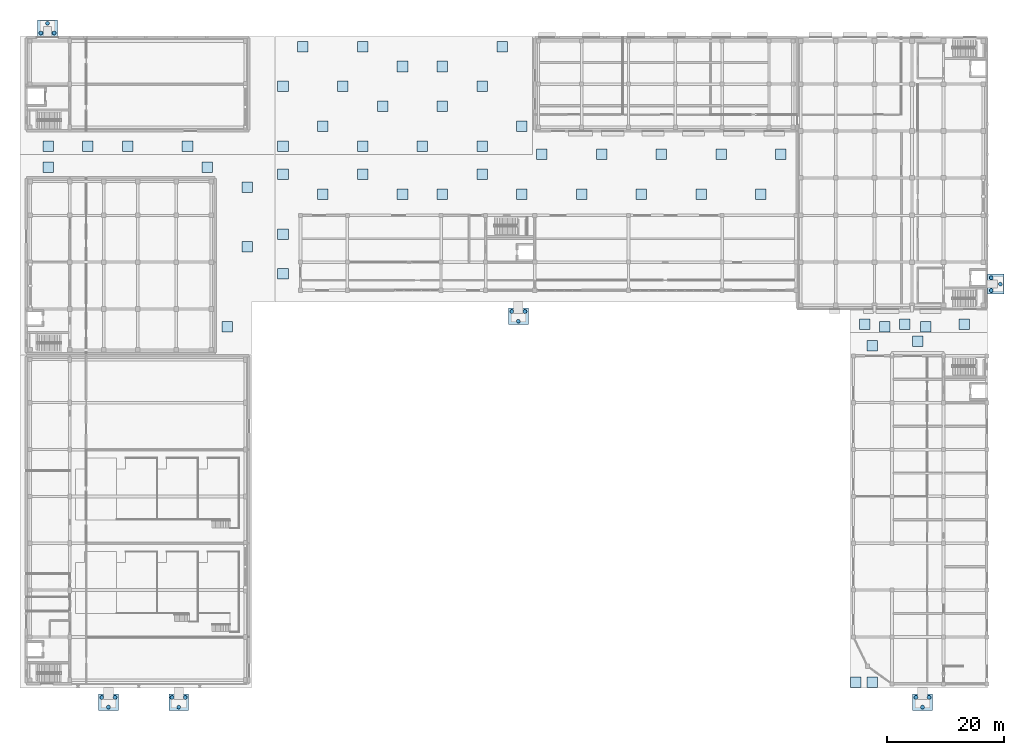
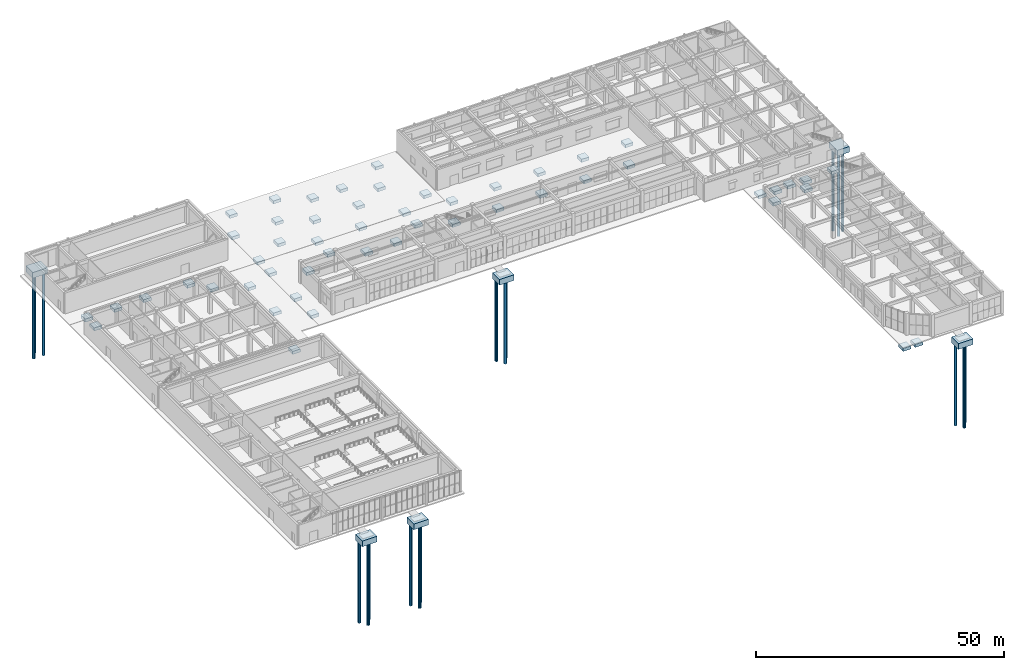
# One storey, part 1 of 46: 58 footings, 18 piles.
"""IFC4 building model written with IfcOpenShell, lengths in metres."""

from ifc_helpers import new_model, si_unit, direction, frame, origin, origin_2d, place, context, subcontext, project, spatial, rectangle, circle, extrude, material, layer, layer_set, material_profile, profile_set, type_object, element, save


model = new_model("IFC4")

# Units and contexts
model_context = context("Model", 3, precision=1e-05, world=origin(), true_north=direction((0.0, 1.0)))
body_context = subcontext(model_context, "Body", "Model", "MODEL_VIEW")
ifc_project = project(units=[si_unit("LENGTHUNIT", "METRE"), si_unit("AREAUNIT", "SQUARE_METRE"), si_unit("VOLUMEUNIT", "CUBIC_METRE"), si_unit("PLANEANGLEUNIT", "RADIAN"), si_unit("MASSUNIT", "GRAM", prefix="KILO")], contexts=[model_context])

# Site, building, storey
site_placement = place(None, origin())
site = spatial("IfcSite", under=ifc_project, at=site_placement, CompositionType="ELEMENT")
building_placement = place(site_placement, origin())
building = spatial("IfcBuilding", under=site, at=building_placement, Name="Cinchona Park Media Centre", CompositionType="ELEMENT")
storey_placement = place(building_placement, origin())
storey = spatial("IfcBuildingStorey", under=building, at=storey_placement, Name="L00", CompositionType="ELEMENT", Elevation=0.0)

# Footings
ifc_material_1 = material(Name="Concrete C40/50", Category="concrete")
ifc_layer_1 = layer(ifc_material_1, 0.75)
ifc_layer_set_1 = layer_set([ifc_layer_1], Name="Concrete C40/50")
footing_type_1 = type_object("IfcFootingType", Name="PAD-FTG-PF01", PredefinedType="PAD_FOOTING", material=ifc_layer_set_1)
for number, where, z_axis, x_axis, name in (
    (1, (11.699951171875, 95.81005859375, -1.02001953125), (0.0, 0.0, 1.0), (1.0, 0.0, 0.0), "Plaza Movement-Joint Grounded Pad Footing PF01"),
    (2, (38.89990234375, 95.81005859375, -1.02001953125), (0.0, 0.0, 1.0), (1.0, 0.0, 0.0), "Plaza Movement-Joint Grounded Pad Footing PF01"),
    (3, (42.300048828125, 68.610107421875, -1.02001953125), (0.0, 0.0, 1.0), (1.0, 0.0, 0.0), "Plaza Movement-Joint Grounded Pad Footing PF01"),
    (4, (45.699951171875, 82.2099609375, -1.02001953125), (0.0, 0.0, 1.0), (1.0, 0.0, 0.0), "Plaza Movement-Joint Grounded Pad Footing PF01"),
    (5, (45.699951171875, 92.409912109375, -1.02001953125), (0.0, 0.0, 1.0), (1.0, 0.0, 0.0), "Plaza Movement-Joint Grounded Pad Footing PF01"),
    (6, (11.699951171875, 99.409912109375, -1.02001953125), (0.0, 0.0, 1.0), (1.0, 0.0, 0.0), "Plaza Movement-Joint Grounded Pad Footing PF01"),
    (7, (18.5, 99.409912109375, -1.02001953125), (0.0, 0.0, 1.0), (1.0, 0.0, 0.0), "Plaza Movement-Joint Grounded Pad Footing PF01"),
    (8, (25.300048828125, 99.409912109375, -1.02001953125), (0.0, 0.0, 1.0), (1.0, 0.0, 0.0), "Plaza Movement-Joint Grounded Pad Footing PF01"),
    (9, (35.5, 99.409912109375, -1.02001953125), (0.0, 0.0, 1.0), (1.0, 0.0, 0.0), "Plaza Movement-Joint Grounded Pad Footing PF01"),
    (10, (51.81005859375, 77.60009765625, -1.02001953125), (0.0, 0.0, 1.0), (1.0, 0.0, 0.0), "Plaza Movement-Joint Grounded Pad Footing PF01"),
    (11, (51.81005859375, 84.39990234375, -1.02001953125), (0.0, 0.0, 1.0), (1.0, 0.0, 0.0), "Plaza Movement-Joint Grounded Pad Footing PF01"),
    (12, (51.81005859375, 94.60009765625, -1.02001953125), (0.0, 0.0, 1.0), (1.0, 0.0, 0.0), "Plaza Movement-Joint Grounded Pad Footing PF01"),
    (13, (58.610107421875, 91.199951171875, -1.02001953125), (0.0, 0.0, 1.0), (1.0, 0.0, 0.0), "Plaza Movement-Joint Grounded Pad Footing PF01"),
    (14, (65.409912109375, 94.60009765625, -1.02001953125), (0.0, 0.0, 1.0), (1.0, 0.0, 0.0), "Plaza Movement-Joint Grounded Pad Footing PF01"),
    (15, (72.2099609375, 91.199951171875, -1.02001953125), (0.0, 0.0, 1.0), (1.0, 0.0, 0.0), "Plaza Movement-Joint Grounded Pad Footing PF01"),
    (16, (79.010009765625, 91.199951171875, -1.02001953125), (0.0, 0.0, 1.0), (1.0, 0.0, 0.0), "Plaza Movement-Joint Grounded Pad Footing PF01"),
    (17, (85.81005859375, 94.60009765625, -1.02001953125), (0.0, 0.0, 1.0), (1.0, 0.0, 0.0), "Plaza Movement-Joint Grounded Pad Footing PF01"),
    (18, (92.610107421875, 91.199951171875, -1.02001953125), (0.0, 0.0, 1.0), (1.0, 0.0, 0.0), "Plaza Movement-Joint Grounded Pad Footing PF01"),
    (19, (96.010009765625, 98.0, -1.02001953125), (0.0, 0.0, 1.0), (1.0, 0.0, 0.0), "Plaza Movement-Joint Grounded Pad Footing PF01"),
    (20, (102.81005859375, 91.199951171875, -1.02001953125), (0.0, 0.0, 1.0), (1.0, 0.0, 0.0), "Plaza Movement-Joint Grounded Pad Footing PF01"),
    (21, (106.2099609375, 98.0, -1.02001953125), (0.0, 0.0, 1.0), (1.0, 0.0, 0.0), "Plaza Movement-Joint Grounded Pad Footing PF01"),
    (22, (113.010009765625, 91.199951171875, -1.02001953125), (0.0, 0.0, 1.0), (1.0, 0.0, 0.0), "Plaza Movement-Joint Grounded Pad Footing PF01"),
    (23, (116.409912109375, 98.0, -1.02001953125), (0.0, 0.0, 1.0), (1.0, 0.0, 0.0), "Plaza Movement-Joint Grounded Pad Footing PF01"),
    (24, (123.2099609375, 91.199951171875, -1.02001953125), (0.0, 0.0, 1.0), (1.0, 0.0, 0.0), "Plaza Movement-Joint Grounded Pad Footing PF01"),
    (25, (126.610107421875, 98.0, -1.02001953125), (0.0, 0.0, 1.0), (1.0, 0.0, 0.0), "Plaza Movement-Joint Grounded Pad Footing PF01"),
    (26, (133.409912109375, 91.199951171875, -1.02001953125), (0.0, 0.0, 1.0), (1.0, 0.0, 0.0), "Plaza Movement-Joint Grounded Pad Footing PF01"),
    (27, (136.81005859375, 98.0, -1.02001953125), (0.0, 0.0, 1.0), (1.0, 0.0, 0.0), "Plaza Movement-Joint Grounded Pad Footing PF01"),
    (28, (51.81005859375, 99.409912109375, -1.02001953125), (0.0, 0.0, 1.0), (1.0, 0.0, 0.0), "Plaza Movement-Joint Grounded Pad Footing PF01"),
    (29, (51.81005859375, 109.610107421875, -1.02001953125), (0.0, 0.0, 1.0), (1.0, 0.0, 0.0), "Plaza Movement-Joint Grounded Pad Footing PF01"),
    (30, (55.2099609375, 116.409912109375, -1.02001953125), (0.0, 0.0, 1.0), (1.0, 0.0, 0.0), "Plaza Movement-Joint Grounded Pad Footing PF01"),
    (31, (58.610107421875, 102.81005859375, -1.02001953125), (0.0, 0.0, 1.0), (1.0, 0.0, 0.0), "Plaza Movement-Joint Grounded Pad Footing PF01"),
    (32, (62.010009765625, 109.610107421875, -1.02001953125), (0.0, 0.0, 1.0), (1.0, 0.0, 0.0), "Plaza Movement-Joint Grounded Pad Footing PF01"),
    (33, (65.409912109375, 99.409912109375, -1.02001953125), (0.0, 0.0, 1.0), (1.0, 0.0, 0.0), "Plaza Movement-Joint Grounded Pad Footing PF01"),
    (34, (65.409912109375, 116.409912109375, -1.02001953125), (0.0, 0.0, 1.0), (1.0, 0.0, 0.0), "Plaza Movement-Joint Grounded Pad Footing PF01"),
    (35, (68.81005859375, 106.2099609375, -1.02001953125), (0.0, 0.0, 1.0), (1.0, 0.0, 0.0), "Plaza Movement-Joint Grounded Pad Footing PF01"),
    (36, (72.2099609375, 113.010009765625, -1.02001953125), (0.0, 0.0, 1.0), (1.0, 0.0, 0.0), "Plaza Movement-Joint Grounded Pad Footing PF01"),
    (37, (75.610107421875, 99.409912109375, -1.02001953125), (0.0, 0.0, 1.0), (1.0, 0.0, 0.0), "Plaza Movement-Joint Grounded Pad Footing PF01"),
    (38, (79.010009765625, 106.2099609375, -1.02001953125), (0.0, 0.0, 1.0), (1.0, 0.0, 0.0), "Plaza Movement-Joint Grounded Pad Footing PF01"),
    (39, (79.010009765625, 113.010009765625, -1.02001953125), (0.0, 0.0, 1.0), (1.0, 0.0, 0.0), "Plaza Movement-Joint Grounded Pad Footing PF01"),
    (40, (85.81005859375, 99.409912109375, -1.02001953125), (0.0, 0.0, 1.0), (1.0, 0.0, 0.0), "Plaza Movement-Joint Grounded Pad Footing PF01"),
    (41, (85.81005859375, 109.610107421875, -1.02001953125), (0.0, 0.0, 1.0), (1.0, 0.0, 0.0), "Plaza Movement-Joint Grounded Pad Footing PF01"),
    (42, (89.2099609375, 116.409912109375, -1.02001953125), (0.0, 0.0, 1.0), (1.0, 0.0, 0.0), "Plaza Movement-Joint Grounded Pad Footing PF01"),
    (43, (92.610107421875, 102.81005859375, -1.02001953125), (0.0, 0.0, 1.0), (1.0, 0.0, 0.0), "Plaza Movement-Joint Grounded Pad Footing PF01"),
    (44, (151.159912109375, 69.010009765625, -1.02001953125), (0.0, 0.0, 1.0), (1.0, 0.0, 0.0), "Plaza Movement-Joint Grounded Pad Footing PF01"),
    (45, (157.9599609375, 69.010009765625, -1.02001953125), (0.0, 0.0, 1.0), (1.0, 0.0, 0.0), "Plaza Movement-Joint Grounded Pad Footing PF01"),
    (46, (168.159912109375, 69.010009765625, -1.02001953125), (0.0, 0.0, 1.0), (1.0, 0.0, 0.0), "Plaza Movement-Joint Grounded Pad Footing PF01"),
    (47, (154.56005859375, 68.610107421875, -1.02001953125), (0.0, 0.0, 1.0), (1.0, 0.0, 0.0), "Plaza Movement-Joint Grounded Pad Footing PF01"),
    (48, (161.56005859375, 68.610107421875, -1.02001953125), (0.0, 0.0, 1.0), (1.0, 0.0, 0.0), "Plaza Movement-Joint Grounded Pad Footing PF01"),
    (49, (160.199951171875, 66.10009765625, -1.02001953125), (0.0, 0.0, 1.0), (1.0, 0.0, 0.0), "Plaza Movement-Joint Grounded Pad Footing PF01"),
    (50, (149.60009765625, 7.89990234375, -1.02001953125), (0.0, 0.0, 1.0), (1.0, 0.0, 0.0), "Plaza Movement-Joint Grounded Pad Footing PF01"),
    (51, (152.39990234375, 7.89990234375, -1.02001953125), (0.0, 0.0, 1.0), (1.0, 0.0, 0.0), "Plaza Movement-Joint Grounded Pad Footing PF01"),
    (52, (152.39990234375, 65.300048828125, -1.02001953125), (0.0, 0.0, 1.0), (1.0, 0.0, 0.0), "Plaza Movement-Joint Grounded Pad Footing PF01"),
):
    element("IfcFooting", number, at=place(storey_placement, frame(where, z_axis=z_axis, x_axis=x_axis)), inside=storey, type_object=footing_type_1, Name=name, PredefinedType="PAD_FOOTING", context=body_context, shape_type="SweptSolid", body=[
        extrude(rectangle(XDim=1.800048828125, YDim=1.800048828125, at=origin_2d()), origin(), (0.0, 0.0, 1.0), 0.75),
    ])

# Piles
ifc_material_2 = material(Name="Concrete C40/50", Category="concrete")
ifc_material_profile = material_profile(ifc_material_2, circle(Radius=0.324951171875, at=origin_2d()), Name="BORED PILE 650")
ifc_profile_set = profile_set([ifc_material_profile], Name="Concrete C40/50")
pile_type = type_object("IfcPileType", Name="PILE-BP650", PredefinedType="BORED", material=ifc_profile_set)
for number, where, z_axis, x_axis, name in (
    (53, (20.875, 5.27490234375, -0.43994140625), (0.0, 0.0, -1.0), (1.0, 0.0, 0.0), "Ramp Bored Pile P650 RMP-01.1"),
    (54, (23.125, 5.27490234375, -0.43994140625), (0.0, 0.0, -1.0), (1.0, 0.0, 0.0), "Ramp Bored Pile P650 RMP-01.2"),
    (55, (22.0, 3.625, -0.43994140625), (0.0, 0.0, -1.0), (1.0, 0.0, 0.0), "Ramp Bored Pile P650 RMP-01.3"),
    (56, (32.875, 5.27490234375, -0.43994140625), (0.0, 0.0, -1.0), (1.0, 0.0, 0.0), "Ramp Bored Pile P650 RMP-02.1"),
    (57, (35.125, 5.27490234375, -0.43994140625), (0.0, 0.0, -1.0), (1.0, 0.0, 0.0), "Ramp Bored Pile P650 RMP-02.2"),
    (58, (34.0, 3.625, -0.43994140625), (0.0, 0.0, -1.0), (1.0, 0.0, 0.0), "Ramp Bored Pile P650 RMP-02.3"),
    (59, (90.875, 71.175048828125, -0.43994140625), (0.0, 0.0, -1.0), (1.0, 0.0, 0.0), "Ramp Bored Pile P650 RMP-03.1"),
    (60, (93.125, 71.175048828125, -0.43994140625), (0.0, 0.0, -1.0), (1.0, 0.0, 0.0), "Ramp Bored Pile P650 RMP-03.2"),
    (61, (92.0, 69.52490234375, -0.43994140625), (0.0, 0.0, -1.0), (1.0, 0.0, 0.0), "Ramp Bored Pile P650 RMP-03.3"),
    (62, (159.875, 5.27490234375, -0.43994140625), (0.0, 0.0, -1.0), (1.0, 0.0, 0.0), "Ramp Bored Pile P650 RMP-04.1"),
    (63, (162.125, 5.27490234375, -0.43994140625), (0.0, 0.0, -1.0), (1.0, 0.0, 0.0), "Ramp Bored Pile P650 RMP-04.2"),
    (64, (161.0, 3.625, -0.43994140625), (0.0, 0.0, -1.0), (1.0, 0.0, 0.0), "Ramp Bored Pile P650 RMP-04.3"),
):
    element("IfcPile", number, at=place(storey_placement, frame(where, z_axis=z_axis, x_axis=x_axis)), inside=storey, type_object=pile_type, Name=name, PredefinedType="BORED", context=body_context, shape_type="SweptSolid", body=[
        extrude(circle(Radius=0.324951171875, at=origin_2d()), origin(), (0.0, 0.0, 1.0), 21.56005859375),
    ])
for number, where, z_axis, x_axis, name in (
    (65, (172.75, 74.75, -0.389892578125), (0.0, 0.0, -1.0), (1.0, 0.0, 0.0), "Ramp Bored Pile P650 RMP-05.1"),
    (66, (172.75, 76.949951171875, -0.389892578125), (0.0, 0.0, -1.0), (1.0, 0.0, 0.0), "Ramp Bored Pile P650 RMP-05.2"),
    (67, (174.300048828125, 75.85009765625, -0.389892578125), (0.0, 0.0, -1.0), (1.0, 0.0, 0.0), "Ramp Bored Pile P650 RMP-05.3"),
    (68, (10.47509765625, 118.72509765625, -0.389892578125), (0.0, 0.0, -1.0), (1.0, 0.0, 0.0), "Ramp Bored Pile P650 RMP-06.1"),
    (69, (12.72509765625, 118.72509765625, -0.389892578125), (0.0, 0.0, -1.0), (1.0, 0.0, 0.0), "Ramp Bored Pile P650 RMP-06.2"),
    (70, (11.60009765625, 120.375, -0.389892578125), (0.0, 0.0, -1.0), (1.0, 0.0, 0.0), "Ramp Bored Pile P650 RMP-06.3"),
):
    element("IfcPile", number, at=place(storey_placement, frame(where, z_axis=z_axis, x_axis=x_axis)), inside=storey, type_object=pile_type, Name=name, PredefinedType="BORED", context=body_context, shape_type="SweptSolid", body=[
        extrude(circle(Radius=0.324951171875, at=origin_2d()), origin(), (0.0, 0.0, 1.0), 21.610107421875),
    ])

# Footings
ifc_material_3 = material(Name="Concrete C40/50", Category="concrete")
ifc_layer_2 = layer(ifc_material_3, 1.39990234375)
ifc_layer_set_2 = layer_set([ifc_layer_2], Name="Concrete C40/50")
footing_type_2 = type_object("IfcFootingType", Name="PILE-CAP-PC07", PredefinedType="PILE_CAP", material=ifc_layer_set_2)
for number, where, z_axis, x_axis, name in (
    (71, (22.0, 4.449951171875, -1.824951171875), (0.0, 0.0, 1.0), (1.0, 0.0, 0.0), "Ramp Pile Cap PC07"),
    (72, (34.0, 4.449951171875, -1.824951171875), (0.0, 0.0, 1.0), (1.0, 0.0, 0.0), "Ramp Pile Cap PC07"),
    (73, (92.0, 70.35009765625, -1.824951171875), (0.0, 0.0, 1.0), (1.0, 0.0, 0.0), "Ramp Pile Cap PC07"),
    (74, (161.0, 4.449951171875, -1.824951171875), (0.0, 0.0, 1.0), (1.0, 0.0, 0.0), "Ramp Pile Cap PC07"),
    (75, (11.60009765625, 119.550048828125, -1.77490234375), (0.0, 0.0, 1.0), (1.0, 0.0, 0.0), "Ramp Pile Cap PC07"),
):
    element("IfcFooting", number, at=place(storey_placement, frame(where, z_axis=z_axis, x_axis=x_axis)), inside=storey, type_object=footing_type_2, Name=name, PredefinedType="PILE_CAP", context=body_context, shape_type="SweptSolid", body=[
        extrude(rectangle(XDim=3.39990234375, YDim=2.800048828125, at=origin_2d()), origin(), (0.0, 0.0, 1.0), 1.39990234375),
    ])
ifc_material_4 = material(Name="Concrete C40/50", Category="concrete")
ifc_layer_3 = layer(ifc_material_4, 1.39990234375)
ifc_layer_set_3 = layer_set([ifc_layer_3], Name="Concrete C40/50")
footing_type_3 = type_object("IfcFootingType", Name="PILE-CAP-PC08", PredefinedType="PILE_CAP", material=ifc_layer_set_3)
footing_placement = place(storey_placement, frame((173.52001953125, 75.85009765625, -1.77490234375), z_axis=(0.0, 0.0, 1.0), x_axis=(1.0, 0.0, 0.0)))
element("IfcFooting", 76, at=footing_placement, inside=storey, type_object=footing_type_3, Name="Ramp Pile Cap PC08", PredefinedType="PILE_CAP", context=body_context, shape_type="SweptSolid", body=[
    extrude(rectangle(XDim=2.800048828125, YDim=3.39990234375, at=origin_2d()), origin(), (0.0, 0.0, 1.0), 1.39990234375),
])

save(model, "model.ifc")
